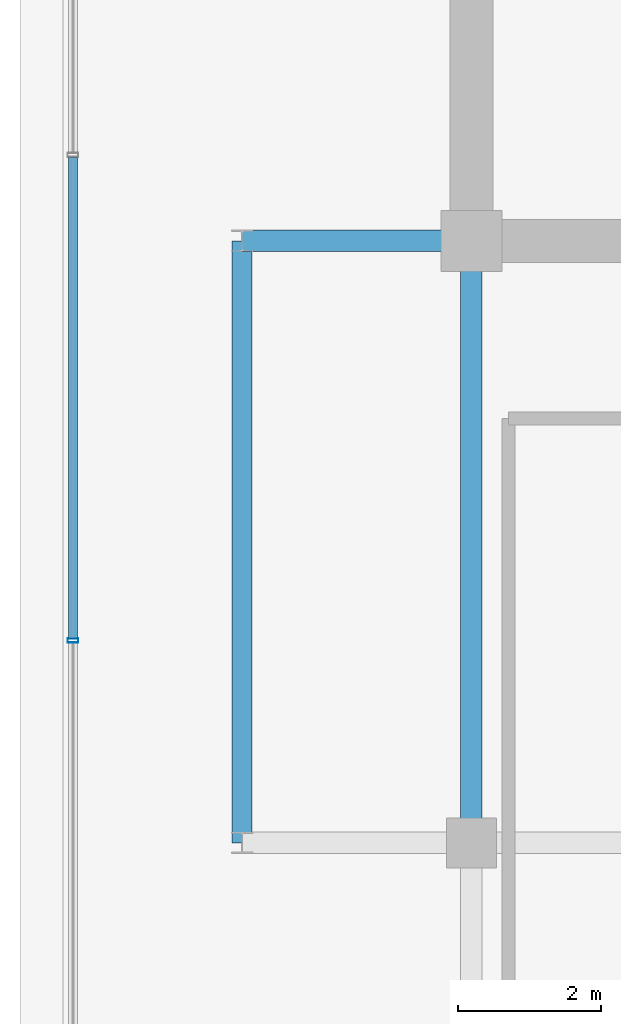
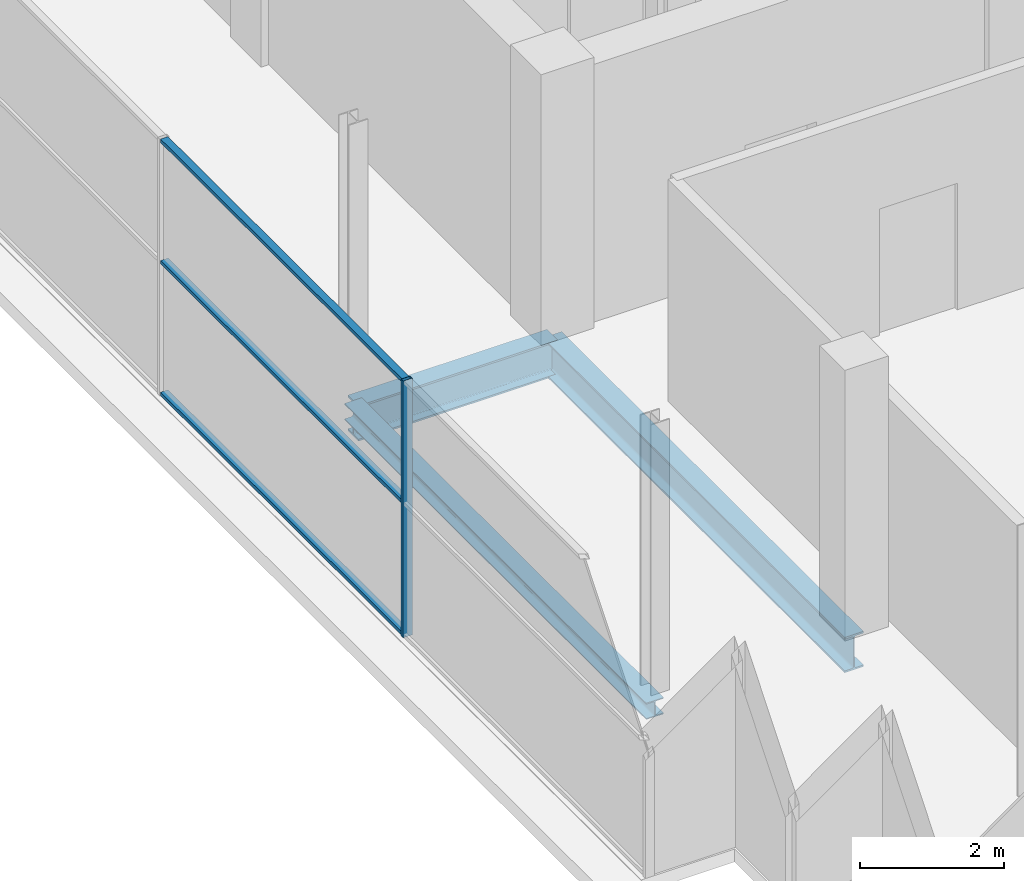
# One storey, part 5 of 28: 4 members, 3 beams, 1 element without a shape of its own.
"""IFC4 building model written with IfcOpenShell, lengths in metres."""

from ifc_helpers import new_model, si_unit, direction, frame, origin, origin_2d, place, context, subcontext, project, spatial, hollow_rectangle, i_section, extrude, source, transform, mapped, material, layer, layer_set, material_profile, profile_set, type_object, element, aggregate, save


model = new_model("IFC4")

# Units and contexts
model_context = context("Model", 3, precision=1e-05, world=origin(), true_north=direction((0.0, 1.0)))
body_context = subcontext(model_context, "Body", "Model", "MODEL_VIEW")
ifc_project = project(units=[si_unit("LENGTHUNIT", "METRE"), si_unit("AREAUNIT", "SQUARE_METRE"), si_unit("VOLUMEUNIT", "CUBIC_METRE"), si_unit("PLANEANGLEUNIT", "RADIAN"), si_unit("MASSUNIT", "GRAM", prefix="KILO")], contexts=[model_context])

# Site, building, storey
site_placement = place(None, origin())
site = spatial("IfcSite", under=ifc_project, at=site_placement, CompositionType="ELEMENT")
building_placement = place(site_placement, origin())
building = spatial("IfcBuilding", under=site, at=building_placement, Name="Zarnakvel Exchange Tower", CompositionType="ELEMENT")
storey_placement = place(building_placement, frame((0.0, 0.0, 276.199951171875)))
storey = spatial("IfcBuildingStorey", under=building, at=storey_placement, Name="Crown L78", CompositionType="ELEMENT", Elevation=276.199951171875)

# Beams
ifc_material_1 = material(Name="Steel S355", Category="steel")
ifc_material_profile_1 = material_profile(ifc_material_1, i_section(OverallWidth=0.300048828125, OverallDepth=0.60009765625, WebThickness=0.015380859375, FlangeThickness=0.030029296875, FilletRadius=0.027099609375, at=origin_2d()))
ifc_profile_set_1 = profile_set([ifc_material_profile_1], Name="Steel S355")
beam_type_1 = type_object("IfcBeamType", Name="G-04", PredefinedType="BEAM", material=ifc_profile_set_1)
beam_1_placement = place(storey_placement, frame((-17.60009765625, -1.199951171875, -0.52001953125), z_axis=(1.0, 0.0, 0.0), x_axis=(0.0, 1.0, 0.0)))
element("IfcBeam", 1, at=beam_1_placement, inside=storey, type_object=beam_type_1, Name="Crown L78 Tower E-W Frame Beam", PredefinedType="BEAM", context=body_context, shape_type="SweptSolid", body=[
    extrude(i_section(OverallWidth=0.300048828125, OverallDepth=0.60009765625, WebThickness=0.015380859375, FlangeThickness=0.030029296875, FilletRadius=0.027099609375, at=origin_2d()), origin(), (0.0, 0.0, 1.0), 3.2001953125),
])
beam_2_placement = place(storey_placement, frame((-14.39990234375, -9.60009765625, -0.52001953125), z_axis=(0.0, 1.0, 0.0), x_axis=(-1.0, 0.0, 0.0)))
element("IfcBeam", 2, at=beam_2_placement, inside=storey, type_object=beam_type_1, Name="Crown L78 Tower N-S Frame Beam", PredefinedType="BEAM", context=body_context, shape_type="SweptSolid", body=[
    extrude(i_section(OverallWidth=0.300048828125, OverallDepth=0.60009765625, WebThickness=0.015380859375, FlangeThickness=0.030029296875, FilletRadius=0.027099609375, at=origin_2d()), origin(), (0.0, 0.0, 1.0), 8.400146484375),
])
ifc_material_profile_2 = material_profile(ifc_material_1, i_section(OverallWidth=0.280029296875, OverallDepth=0.280029296875, WebThickness=0.010498046875, FlangeThickness=0.01806640625, FilletRadius=0.02392578125, at=origin_2d()))
ifc_profile_set_2 = profile_set([ifc_material_profile_2], Name="Steel S355")
beam_type_2 = type_object("IfcBeamType", Name="SP-04", PredefinedType="SPANDREL", material=ifc_profile_set_2)
beam_3_placement = place(storey_placement, frame((-17.60009765625, -9.60009765625, -0.35986328125), z_axis=(0.0, 1.0, 0.0), x_axis=(-1.0, 0.0, 0.0)))
element("IfcBeam", 3, at=beam_3_placement, inside=storey, type_object=beam_type_2, Name="Crown L78 Tower N-S Frame Beam", PredefinedType="SPANDREL", context=body_context, shape_type="SweptSolid", body=[
    extrude(i_section(OverallWidth=0.280029296875, OverallDepth=0.280029296875, WebThickness=0.010498046875, FlangeThickness=0.01806640625, FilletRadius=0.02392578125, at=origin_2d()), origin(), (0.0, 0.0, 1.0), 8.400146484375),
])

# Curtain wall, members
ifc_material_2 = material(Name="Architectural Bronze Anodised Aluminium", Category="aluminium")
ifc_layer = layer(ifc_material_2, 0.14990234375)
ifc_layer_set = layer_set([ifc_layer], Name="Architectural Bronze Anodised Aluminium")
curtain_wall_type = type_object("IfcCurtainWallType", Name="CW-07", PredefinedType="NOTDEFINED", material=ifc_layer_set)
curtain_wall_placement = place(storey_placement, origin())
curtain_wall = element("IfcCurtainWall", 4, at=curtain_wall_placement, inside=storey, type_object=curtain_wall_type, Name="Crown L78 Curtain Wall CW-Crown L78-W (CW-07)", PredefinedType="NOTDEFINED")
ifc_material_profile_3 = material_profile(ifc_material_2, hollow_rectangle(XDim=0.14990234375, YDim=0.06005859375, WallThickness=0.00390625, at=origin_2d()))
ifc_profile_set_3 = profile_set([ifc_material_profile_3], Name="Architectural Bronze Anodised Aluminium")
member_type_1 = type_object("IfcMemberType", Name="CWM-07", PredefinedType="MULLION", material=ifc_profile_set_3)
shared_shape_1 = source(origin(), body_context, "Body", "SweptSolid", [
    extrude(hollow_rectangle(XDim=0.14990234375, YDim=0.06005859375, WallThickness=0.00390625, at=origin_2d()), origin(), (0.0, 0.0, 1.0), 4.360107421875),
])
member_1_placement = place(storey_placement, frame((-19.9599609375, -6.77490234375, 0.0), z_axis=(0.0, 0.0, 1.0), x_axis=(-1.0, 0.0, 0.0)))
member_1 = element("IfcMember", 5, at=member_1_placement, type_object=member_type_1, Name="CW-07 mullion 2", PredefinedType="MULLION", context=body_context, shape_type="MappedRepresentation", body=[
    mapped(shared_shape_1, transform((0.0, 0.0, 0.0), x_axis=(1.0, 0.0, 0.0), y_axis=(0.0, 1.0, 0.0), z_axis=(0.0, 0.0, 1.0), scale=1.0)),
])
ifc_material_profile_4 = material_profile(ifc_material_2, hollow_rectangle(XDim=0.1201171875, YDim=0.06005859375, WallThickness=0.00390625, at=origin_2d()))
ifc_profile_set_4 = profile_set([ifc_material_profile_4], Name="Architectural Bronze Anodised Aluminium")
member_type_2 = type_object("IfcMemberType", Name="CWT-07", PredefinedType="USERDEFINED", material=ifc_profile_set_4)
shared_shape_2 = source(origin(), body_context, "Body", "SweptSolid", [
    extrude(hollow_rectangle(XDim=0.1201171875, YDim=0.06005859375, WallThickness=0.00390625, at=origin_2d()), origin(), (0.0, 0.0, 1.0), 6.715087890625),
])
member_2_placement = place(storey_placement, frame((-19.9599609375, -6.7451171875, 0.030029296875), z_axis=(0.0, 1.0, 0.0), x_axis=(-1.0, 0.0, 0.0)))
member_2 = element("IfcMember", 6, at=member_2_placement, type_object=member_type_2, Name="CW-07 transom 2.1", ObjectType="TRANSOM", PredefinedType="USERDEFINED", context=body_context, shape_type="MappedRepresentation", body=[
    mapped(shared_shape_2, transform((0.0, 0.0, 0.0), x_axis=(1.0, 0.0, 0.0), y_axis=(0.0, 1.0, 0.0), z_axis=(0.0, 0.0, 1.0), scale=1.0)),
])
member_3_placement = place(storey_placement, frame((-19.9599609375, -6.7451171875, 2.267333984375), z_axis=(0.0, 1.0, 0.0), x_axis=(-1.0, 0.0, 0.0)))
member_3 = element("IfcMember", 7, at=member_3_placement, type_object=member_type_2, Name="CW-07 transom 2.2", ObjectType="TRANSOM", PredefinedType="USERDEFINED", context=body_context, shape_type="MappedRepresentation", body=[
    mapped(shared_shape_2, transform((0.0, 0.0, 0.0), x_axis=(1.0, 0.0, 0.0), y_axis=(0.0, 1.0, 0.0), z_axis=(0.0, 0.0, 1.0), scale=1.0)),
])
member_4_placement = place(storey_placement, frame((-19.9599609375, -6.7451171875, 4.330078125), z_axis=(0.0, 1.0, 0.0), x_axis=(-1.0, 0.0, 0.0)))
member_4 = element("IfcMember", 8, at=member_4_placement, type_object=member_type_2, Name="CW-07 transom 2.3", ObjectType="TRANSOM", PredefinedType="USERDEFINED", context=body_context, shape_type="MappedRepresentation", body=[
    mapped(shared_shape_2, transform((0.0, 0.0, 0.0), x_axis=(1.0, 0.0, 0.0), y_axis=(0.0, 1.0, 0.0), z_axis=(0.0, 0.0, 1.0), scale=1.0)),
])
aggregate(curtain_wall, [member_1, member_2, member_3, member_4])

save(model, "model.ifc")
